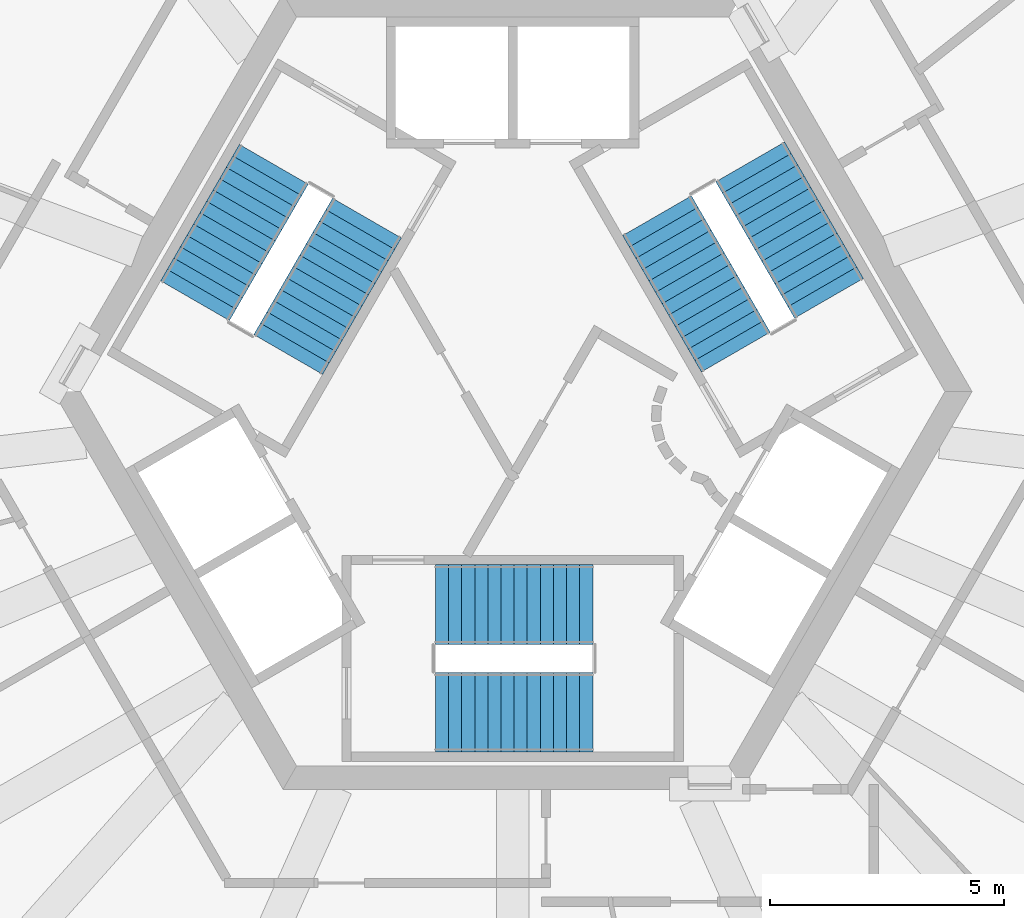
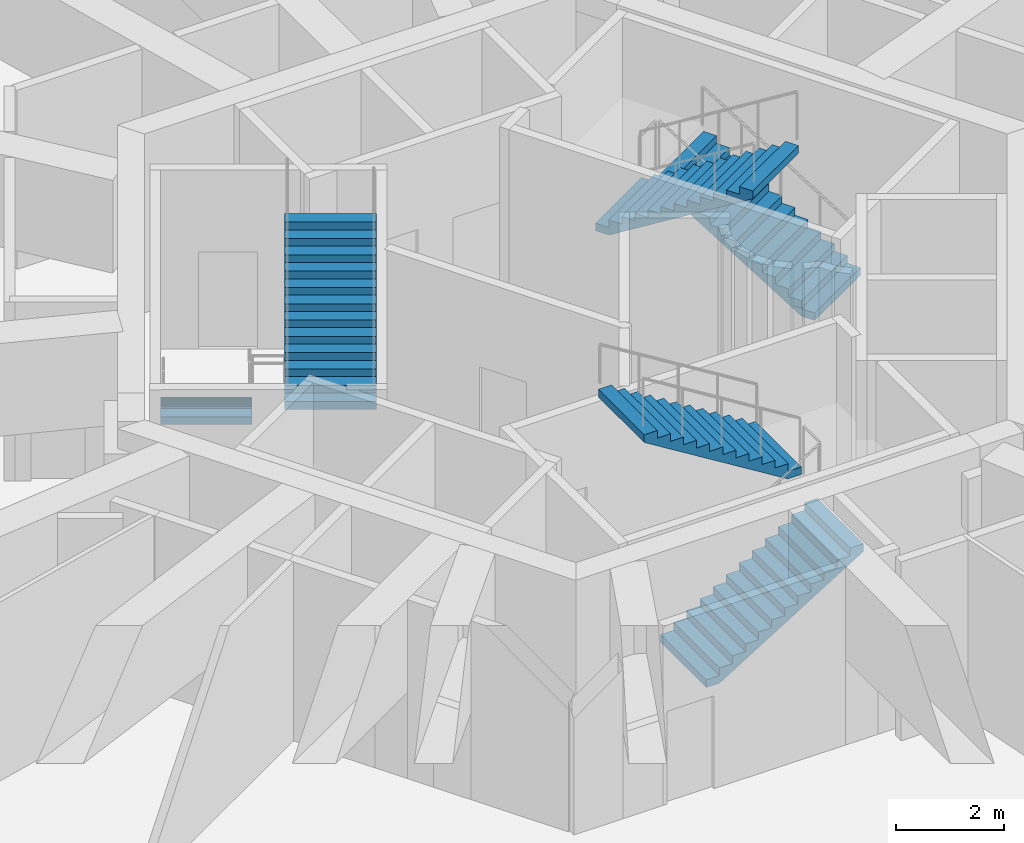
# One storey, part 7 of 9: 6 stair flights, 3 elements without a shape of their own.
"""IFC4 building model written with IfcOpenShell, lengths in metres."""

from ifc_helpers import new_model, si_unit, direction, frame, origin, place, context, subcontext, project, spatial, polyline, outline, extrude, material, type_object, element, aggregate, save


model = new_model("IFC4")

# Units and contexts
model_context = context("Model", 3, precision=1e-05, world=origin(), true_north=direction((0.0, 1.0)))
body_context = subcontext(model_context, "Body", "Model", "MODEL_VIEW")
ifc_project = project(units=[si_unit("LENGTHUNIT", "METRE"), si_unit("AREAUNIT", "SQUARE_METRE"), si_unit("VOLUMEUNIT", "CUBIC_METRE"), si_unit("PLANEANGLEUNIT", "RADIAN"), si_unit("MASSUNIT", "GRAM", prefix="KILO")], contexts=[model_context])

# Site, building, storey
site_placement = place(None, origin())
site = spatial("IfcSite", under=ifc_project, at=site_placement, CompositionType="ELEMENT")
building_placement = place(site_placement, origin())
building = spatial("IfcBuilding", under=site, at=building_placement, Name="Entoto Arch Interchange Tower", CompositionType="ELEMENT")
storey_placement = place(building_placement, frame((0.0, 0.0, 335.89990234375)))
storey = spatial("IfcBuildingStorey", under=building, at=storey_placement, Name="L79", CompositionType="ELEMENT", Elevation=335.89990234375)

# Stair, stair flights
ifc_material = material(Name="Concrete C40/50", Category="concrete")
stair_type = type_object("IfcStairType", Name="EXIT STAIR RC 1700", PredefinedType="HALF_TURN_STAIR", material=ifc_material)
stair_1_placement = place(storey_placement, origin())
stair_1 = element("IfcStair", 1, at=stair_1_placement, inside=storey, type_object=stair_type, Name="L79 Exit stair S", PredefinedType="HALF_TURN_STAIR")
stair_flight_type = type_object("IfcStairFlightType", Name="EXIT STAIR FLIGHT RC 1700", PredefinedType="STRAIGHT", material=ifc_material)
stair_flight_1_placement = place(storey_placement, frame((-1.64990234375, -4.35009765625, 0.0), z_axis=(0.0, 0.0, 1.0), x_axis=(1.0, 0.0, 0.0)))
stair_flight_1 = element("IfcStairFlight", 2, at=stair_flight_1_placement, type_object=stair_flight_type, Name="ST-S flight 1", NumberOfRisers=13, NumberOfTreads=12, PredefinedType="STRAIGHT", RiserHeight=0.173076923, TreadLength=0.28, context=body_context, shape_type="SweptSolid", body=[
    extrude(outline(polyline([(-0.0029296875, 0.0), (-0.0029296875, 0.173095703125), (0.280029296875, 0.173095703125), (0.280029296875, 0.34619140625), (0.56005859375, 0.34619140625), (0.56005859375, 0.519287109375), (0.840087890625, 0.519287109375), (0.840087890625, 0.6923828125), (1.1201171875, 0.6923828125), (1.1201171875, 0.865478515625), (1.39990234375, 0.865478515625), (1.39990234375, 1.03857421875), (1.679931640625, 1.03857421875), (1.679931640625, 1.21142578125), (1.9599609375, 1.21142578125), (1.9599609375, 1.384521484375), (2.239990234375, 1.384521484375), (2.239990234375, 1.5576171875), (2.52001953125, 1.5576171875), (2.52001953125, 1.730712890625), (2.800048828125, 1.730712890625), (2.800048828125, 1.90380859375), (3.080078125, 1.90380859375), (3.080078125, 2.076904296875), (3.360107421875, 2.076904296875), (3.363037109375, 2.076904296875), (3.363037109375, 1.902587890625), (0.28515625, 0.0), (-0.0029296875, 0.0)])), frame((0.0, 0.85009765625, 0.0), z_axis=(0.0, -1.0, 0.0), x_axis=(1.0, 0.0, 0.0)), (0.0, 0.0, 1.0), 1.699951171875),
])
stair_flight_2_placement = place(storey_placement, frame((1.7099609375, -2.050048828125, 2.25), z_axis=(0.0, 0.0, 1.0), x_axis=(-1.0, 0.0, 0.0)))
stair_flight_2 = element("IfcStairFlight", 3, at=stair_flight_2_placement, type_object=stair_flight_type, Name="ST-S flight 2", NumberOfRisers=13, NumberOfTreads=12, PredefinedType="STRAIGHT", RiserHeight=0.173076923, TreadLength=0.28, context=body_context, shape_type="SweptSolid", body=[
    extrude(outline(polyline([(-0.0029296875, 0.0), (-0.0029296875, 0.173095703125), (0.280029296875, 0.173095703125), (0.280029296875, 0.34619140625), (0.56005859375, 0.34619140625), (0.56005859375, 0.519287109375), (0.840087890625, 0.519287109375), (0.840087890625, 0.6923828125), (1.1201171875, 0.6923828125), (1.1201171875, 0.865478515625), (1.39990234375, 0.865478515625), (1.39990234375, 1.03857421875), (1.679931640625, 1.03857421875), (1.679931640625, 1.21142578125), (1.9599609375, 1.21142578125), (1.9599609375, 1.384521484375), (2.239990234375, 1.384521484375), (2.239990234375, 1.5576171875), (2.52001953125, 1.5576171875), (2.52001953125, 1.730712890625), (2.800048828125, 1.730712890625), (2.800048828125, 1.90380859375), (3.080078125, 1.90380859375), (3.080078125, 2.076904296875), (3.360107421875, 2.076904296875), (3.363037109375, 2.076904296875), (3.363037109375, 1.902587890625), (0.28515625, 0.0), (-0.0029296875, 0.0)])), frame((0.0, 0.85009765625, 0.0), z_axis=(0.0, -1.0, 0.0), x_axis=(1.0, 0.0, 0.0)), (0.0, 0.0, 1.0), 1.699951171875),
])
aggregate(stair_1, [stair_flight_1, stair_flight_2])

stair_2_placement = place(storey_placement, origin())
stair_2 = element("IfcStair", 4, at=stair_2_placement, inside=storey, type_object=stair_type, Name="L79 Exit stair NE", PredefinedType="HALF_TURN_STAIR")
stair_flight_3_placement = place(storey_placement, frame((6.75732421875, 4.49609375, 0.0), z_axis=(0.0, 0.0, 1.0), x_axis=(-0.5, 0.866025403784, 0.0)))
stair_flight_3 = element("IfcStairFlight", 5, at=stair_flight_3_placement, type_object=stair_flight_type, Name="ST-NE flight 1", NumberOfRisers=13, NumberOfTreads=12, PredefinedType="STRAIGHT", RiserHeight=0.173076923, TreadLength=0.28, context=body_context, shape_type="SweptSolid", body=[
    extrude(outline(polyline([(-0.0029296875, 0.0), (-0.0029296875, 0.173095703125), (0.280029296875, 0.173095703125), (0.280029296875, 0.34619140625), (0.56005859375, 0.34619140625), (0.56005859375, 0.519287109375), (0.840087890625, 0.519287109375), (0.840087890625, 0.6923828125), (1.1201171875, 0.6923828125), (1.1201171875, 0.865478515625), (1.39990234375, 0.865478515625), (1.39990234375, 1.03857421875), (1.679931640625, 1.03857421875), (1.679931640625, 1.21142578125), (1.9599609375, 1.21142578125), (1.9599609375, 1.384521484375), (2.239990234375, 1.384521484375), (2.239990234375, 1.5576171875), (2.52001953125, 1.5576171875), (2.52001953125, 1.730712890625), (2.800048828125, 1.730712890625), (2.800048828125, 1.90380859375), (3.080078125, 1.90380859375), (3.080078125, 2.076904296875), (3.360107421875, 2.076904296875), (3.363037109375, 2.076904296875), (3.363037109375, 1.902587890625), (0.28515625, 0.0), (-0.0029296875, 0.0)])), frame((0.0, 0.85009765625, 0.0), z_axis=(0.0, -1.0, 0.0), x_axis=(1.0, 0.0, 0.0)), (0.0, 0.0, 1.0), 1.699951171875),
])
stair_flight_4_placement = place(storey_placement, frame((3.08544921875, 6.255859375, 2.25), z_axis=(0.0, 0.0, 1.0), x_axis=(0.5, -0.866025403784, 0.0)))
stair_flight_4 = element("IfcStairFlight", 6, at=stair_flight_4_placement, type_object=stair_flight_type, Name="ST-NE flight 2", NumberOfRisers=13, NumberOfTreads=12, PredefinedType="STRAIGHT", RiserHeight=0.173076923, TreadLength=0.28, context=body_context, shape_type="SweptSolid", body=[
    extrude(outline(polyline([(-0.0029296875, 0.0), (-0.0029296875, 0.173095703125), (0.280029296875, 0.173095703125), (0.280029296875, 0.34619140625), (0.56005859375, 0.34619140625), (0.56005859375, 0.519287109375), (0.840087890625, 0.519287109375), (0.840087890625, 0.6923828125), (1.1201171875, 0.6923828125), (1.1201171875, 0.865478515625), (1.39990234375, 0.865478515625), (1.39990234375, 1.03857421875), (1.679931640625, 1.03857421875), (1.679931640625, 1.21142578125), (1.9599609375, 1.21142578125), (1.9599609375, 1.384521484375), (2.239990234375, 1.384521484375), (2.239990234375, 1.5576171875), (2.52001953125, 1.5576171875), (2.52001953125, 1.730712890625), (2.800048828125, 1.730712890625), (2.800048828125, 1.90380859375), (3.080078125, 1.90380859375), (3.080078125, 2.076904296875), (3.360107421875, 2.076904296875), (3.363037109375, 2.076904296875), (3.363037109375, 1.902587890625), (0.28515625, 0.0), (-0.0029296875, 0.0)])), frame((0.0, 0.85009765625, 0.0), z_axis=(0.0, -1.0, 0.0), x_axis=(1.0, 0.0, 0.0)), (0.0, 0.0, 1.0), 1.699951171875),
])
aggregate(stair_2, [stair_flight_3, stair_flight_4])

stair_3_placement = place(storey_placement, origin())
stair_3 = element("IfcStair", 7, at=stair_3_placement, inside=storey, type_object=stair_type, Name="L79 Exit stair NW", PredefinedType="HALF_TURN_STAIR")
stair_flight_5_placement = place(storey_placement, frame((-5.107177734375, 7.35400390625, 0.0), z_axis=(0.0, 0.0, 1.0), x_axis=(-0.5, -0.866025403784, 0.0)))
stair_flight_5 = element("IfcStairFlight", 8, at=stair_flight_5_placement, type_object=stair_flight_type, Name="ST-NW flight 1", NumberOfRisers=13, NumberOfTreads=12, PredefinedType="STRAIGHT", RiserHeight=0.173076923, TreadLength=0.28, context=body_context, shape_type="SweptSolid", body=[
    extrude(outline(polyline([(-0.0029296875, 0.0), (-0.0029296875, 0.173095703125), (0.280029296875, 0.173095703125), (0.280029296875, 0.34619140625), (0.56005859375, 0.34619140625), (0.56005859375, 0.519287109375), (0.840087890625, 0.519287109375), (0.840087890625, 0.6923828125), (1.1201171875, 0.6923828125), (1.1201171875, 0.865478515625), (1.39990234375, 0.865478515625), (1.39990234375, 1.03857421875), (1.679931640625, 1.03857421875), (1.679931640625, 1.21142578125), (1.9599609375, 1.21142578125), (1.9599609375, 1.384521484375), (2.239990234375, 1.384521484375), (2.239990234375, 1.5576171875), (2.52001953125, 1.5576171875), (2.52001953125, 1.730712890625), (2.800048828125, 1.730712890625), (2.800048828125, 1.90380859375), (3.080078125, 1.90380859375), (3.080078125, 2.076904296875), (3.360107421875, 2.076904296875), (3.363037109375, 2.076904296875), (3.363037109375, 1.902587890625), (0.28515625, 0.0), (-0.0029296875, 0.0)])), frame((0.0, 0.85009765625, 0.0), z_axis=(0.0, -1.0, 0.0), x_axis=(1.0, 0.0, 0.0)), (0.0, 0.0, 1.0), 1.699951171875),
])
stair_flight_6_placement = place(storey_placement, frame((-4.79541015625, 3.294189453125, 2.25), z_axis=(0.0, 0.0, 1.0), x_axis=(0.5, 0.866025403784, 0.0)))
stair_flight_6 = element("IfcStairFlight", 9, at=stair_flight_6_placement, type_object=stair_flight_type, Name="ST-NW flight 2", NumberOfRisers=13, NumberOfTreads=12, PredefinedType="STRAIGHT", RiserHeight=0.173076923, TreadLength=0.28, context=body_context, shape_type="SweptSolid", body=[
    extrude(outline(polyline([(-0.0029296875, 0.0), (-0.0029296875, 0.173095703125), (0.280029296875, 0.173095703125), (0.280029296875, 0.34619140625), (0.56005859375, 0.34619140625), (0.56005859375, 0.519287109375), (0.840087890625, 0.519287109375), (0.840087890625, 0.6923828125), (1.1201171875, 0.6923828125), (1.1201171875, 0.865478515625), (1.39990234375, 0.865478515625), (1.39990234375, 1.03857421875), (1.679931640625, 1.03857421875), (1.679931640625, 1.21142578125), (1.9599609375, 1.21142578125), (1.9599609375, 1.384521484375), (2.239990234375, 1.384521484375), (2.239990234375, 1.5576171875), (2.52001953125, 1.5576171875), (2.52001953125, 1.730712890625), (2.800048828125, 1.730712890625), (2.800048828125, 1.90380859375), (3.080078125, 1.90380859375), (3.080078125, 2.076904296875), (3.360107421875, 2.076904296875), (3.363037109375, 2.076904296875), (3.363037109375, 1.902587890625), (0.28515625, 0.0), (-0.0029296875, 0.0)])), frame((0.0, 0.85009765625, 0.0), z_axis=(0.0, -1.0, 0.0), x_axis=(1.0, 0.0, 0.0)), (0.0, 0.0, 1.0), 1.699951171875),
])
aggregate(stair_3, [stair_flight_5, stair_flight_6])

save(model, "model.ifc")
